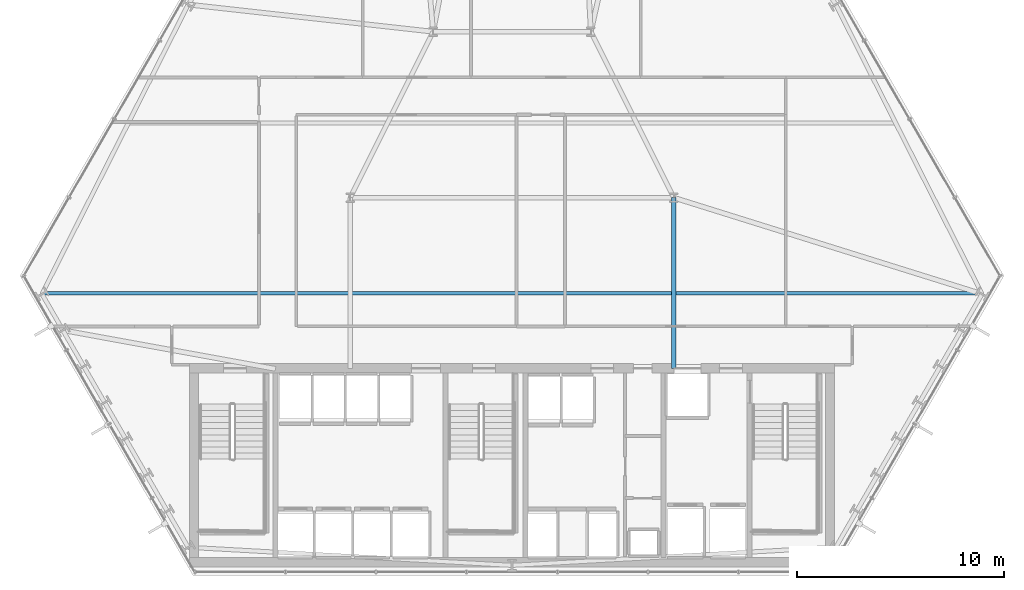
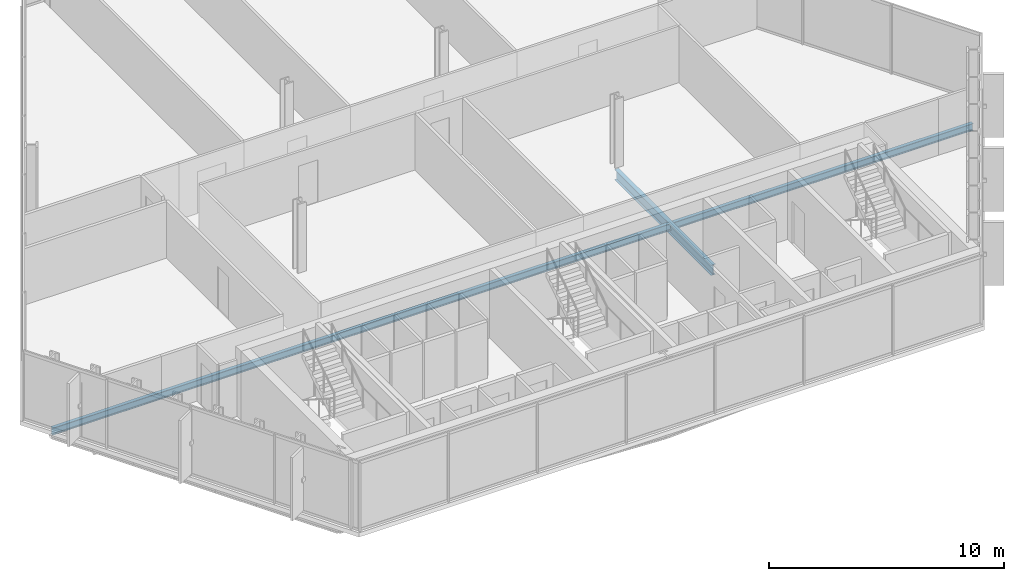
# One storey, part 9 of 33: 2 beams.
"""IFC4 building model written with IfcOpenShell, lengths in metres."""

import ifcopenshell
import ifcopenshell.guid

model = None  # the IFC model being written
_history = None  # IfcOwnerHistory: only IFC2X3 demands one
_inside = {}  # id of a spatial element -> (the spatial element, [elements in it])
_under = {}  # id of a project, library or spatial element -> (it, [spatial elements below it])
_declared = {}  # id of a project -> (the project, [libraries it declares])
_typed = {}  # id of a type object -> (the type object, [elements of that type])
_made_of = {}  # id of a material, layer set ... -> (it, [elements and type objects made of it])


def new_model(schema):
    """Start an empty IFC model of exactly this schema.

    Asked for "IFC4X3", IfcOpenShell would pick the latest addendum, in which some entities
    have other attributes; the version numbers below select the first issue.
    IFC2X3 requires an IfcOwnerHistory on every rooted entity: one is made here for all.
    """
    global model, _history
    if schema == "IFC4X3":
        model = ifcopenshell.file(schema_version=(4, 3, 0, 0))
    else:
        model = ifcopenshell.file(schema=schema)
    _inside.clear()
    _under.clear()
    _declared.clear()
    _typed.clear()
    _made_of.clear()
    _history = None
    if model.schema == "IFC2X3":
        org = make("IfcOrganization", Name="unknown")
        user = make(
            "IfcPersonAndOrganization",
            ThePerson=make("IfcPerson", FamilyName="unknown"),
            TheOrganization=org,
        )
        app = make(
            "IfcApplication",
            ApplicationDeveloper=org,
            Version="unknown",
            ApplicationFullName="unknown",
            ApplicationIdentifier="unknown",
        )
        _history = make(
            "IfcOwnerHistory",
            OwningUser=user,
            OwningApplication=app,
            ChangeAction="ADDED",
            CreationDate=0,
        )
    return model


def make(cls, **values):
    """One entity of the class cls with the attributes given. An attribute that is None is left unset."""
    return model.create_entity(
        cls, **{name: value for name, value in values.items() if value is not None}
    )


def rooted(cls, **values):
    """An entity with a GlobalId (a new one), such as an element, a storey or a relation."""
    return make(cls, GlobalId=ifcopenshell.guid.new(), OwnerHistory=_history, **values)


def si_unit(unit_type, name, prefix=None):
    """IfcSIUnit, for example si_unit("LENGTHUNIT", "METRE", prefix="MILLI")."""
    return make("IfcSIUnit", UnitType=unit_type, Prefix=prefix, Name=name)


def assignment(units):
    """IfcUnitAssignment: the units of a project."""
    return None if units is None else make("IfcUnitAssignment", Units=units)


def point(xyz):
    """IfcCartesianPoint."""
    return None if xyz is None else make("IfcCartesianPoint", Coordinates=xyz)


def direction(xyz):
    """IfcDirection."""
    return None if xyz is None else make("IfcDirection", DirectionRatios=xyz)


def frame(location, z_axis=None, x_axis=None):
    """IfcAxis2Placement3D, a coordinate frame: its origin and axes. An axis left out is left unset."""
    return make(
        "IfcAxis2Placement3D",
        Location=point(location),
        Axis=direction(z_axis),
        RefDirection=direction(x_axis),
    )


def frame_2d(location, x_axis=None):
    """IfcAxis2Placement2D, a coordinate frame in the plane: its origin and x axis."""
    return make(
        "IfcAxis2Placement2D", Location=point(location), RefDirection=direction(x_axis)
    )


def origin():
    """The frame at (0, 0, 0) with its axes left unset."""
    return frame((0.0, 0.0, 0.0))


def origin_2d():
    """The frame at (0, 0) in the plane with its x axis left unset."""
    return frame_2d((0.0, 0.0))


def place(relative_to, where):
    """IfcLocalPlacement: puts the frame where relative to a parent placement (None: the world)."""
    return make(
        "IfcLocalPlacement", PlacementRelTo=relative_to, RelativePlacement=where
    )


def context(
    kind, dimensions, precision=None, world=None, true_north=None, identifier=None
):
    """IfcGeometricRepresentationContext, for example the 3D "Model" context."""
    return make(
        "IfcGeometricRepresentationContext",
        ContextIdentifier=identifier,
        ContextType=kind,
        CoordinateSpaceDimension=dimensions,
        Precision=precision,
        WorldCoordinateSystem=world,
        TrueNorth=true_north,
    )


def subcontext(parent, identifier, kind, view, scale=None):
    """IfcGeometricRepresentationSubContext, for example "Body" below "Model"."""
    return make(
        "IfcGeometricRepresentationSubContext",
        ContextIdentifier=identifier,
        ContextType=kind,
        ParentContext=parent,
        TargetScale=scale,
        TargetView=view,
    )


def project(units=None, contexts=None):
    """IfcProject with its units and contexts."""
    return rooted(
        "IfcProject",
        Name="project",
        RepresentationContexts=contexts,
        UnitsInContext=assignment(units),
    )


def spatial(cls, under=None, at=None, **own):
    """A site, building, storey or space (cls), placed at a placement, below another one or the project."""
    s = rooted(cls, ObjectPlacement=at, **own)
    if under is not None:
        _under.setdefault(under.id(), (under, []))[1].append(s)
    return s


def profile(cls, at=None, kind="AREA", **sizes):
    """A parametric profile (cls). Its sizes go by their IFC names, for example OverallWidth=200.0."""
    return make(cls, ProfileType=kind, Position=at, **sizes)


def i_section(**sizes):
    """IfcIShapeProfileDef."""
    return profile("IfcIShapeProfileDef", **sizes)


def extrude(swept, where, along, depth):
    """IfcExtrudedAreaSolid: the profile swept, set in the frame where, extruded along a direction by depth."""
    return make(
        "IfcExtrudedAreaSolid",
        SweptArea=swept,
        Position=where,
        ExtrudedDirection=direction(along),
        Depth=depth,
    )


def shape(context_of_items, identifier, shape_type, items):
    """IfcShapeRepresentation: the items that make up one representation, for example the "Body"."""
    return make(
        "IfcShapeRepresentation",
        ContextOfItems=context_of_items,
        RepresentationIdentifier=identifier,
        RepresentationType=shape_type,
        Items=items,
    )


def material(Name=None, Category=None):
    """IfcMaterial."""
    return make("IfcMaterial", Name=Name, Category=Category)


def material_profile(
    of_material, cross_section, Name=None, Category=None, Priority=None
):
    """IfcMaterialProfile: a cross section and its material."""
    return make(
        "IfcMaterialProfile",
        Name=Name,
        Material=of_material,
        Profile=cross_section,
        Priority=Priority,
        Category=Category,
    )


def profile_set(profiles, Name=None, composite=None):
    """IfcMaterialProfileSet."""
    return make(
        "IfcMaterialProfileSet",
        Name=Name,
        MaterialProfiles=profiles,
        CompositeProfile=composite,
    )


def made_of(thing, what):
    """Note that an element or type object is made of a material, layer set ...; save() writes the relation."""
    if what is not None:
        _made_of.setdefault(what.id(), (what, []))[1].append(thing)
    return thing


def type_object(cls, material=None, **own):
    """A type object (cls), such as IfcWallType, which elements share."""
    return made_of(rooted(cls, **own), material)


def element(
    cls,
    number,
    at=None,
    inside=None,
    cuts=None,
    type_object=None,
    material=None,
    context=None,
    identifier="Body",
    shape_type=None,
    held_by="IfcProductDefinitionShape",
    body=None,
    shapes=None,
    **own,
):
    """One element of the class cls, such as IfcWall. Its Tag is "e" and its number.

    at: its placement. inside: the storey or other place that contains it. cuts: it is an
    opening in that element (IfcRelVoidsElement). A single representation is given by context,
    identifier, shape_type and body (its items); several are given by shapes. held_by: the class
    of the entity that holds the representations. save() writes the other relations.
    """
    e = rooted(cls, Tag="e%d" % number, ObjectPlacement=at, **own)
    if body is not None:
        shapes = [shape(context, identifier, shape_type, body)]
    if shapes is not None:
        e.Representation = make(held_by, Representations=shapes)
    if inside is not None:
        _inside.setdefault(inside.id(), (inside, []))[1].append(e)
    if cuts is not None:
        rooted(
            "IfcRelVoidsElement", RelatingBuildingElement=cuts, RelatedOpeningElement=e
        )
    if type_object is not None:
        _typed.setdefault(type_object.id(), (type_object, []))[1].append(e)
    return made_of(e, material)


def aggregate(whole, parts):
    """IfcRelAggregates: a whole, such as a stair, and the parts it consists of."""
    return rooted("IfcRelAggregates", RelatingObject=whole, RelatedObjects=parts)


def save(model, path):
    """Write the relations noted so far, then the file.

    IfcRelAggregates (storeys below a building ...), IfcRelContainedInSpatialStructure (elements
    in a storey), IfcRelDefinesByType, IfcRelAssociatesMaterial and IfcRelDeclares: one each for
    every whole, place, type object, material and project.
    """
    for whole, parts in _under.values():
        aggregate(whole, parts)
    for where, things in _inside.values():
        rooted(
            "IfcRelContainedInSpatialStructure",
            RelatedElements=things,
            RelatingStructure=where,
        )
    for kind, things in _typed.values():
        rooted("IfcRelDefinesByType", RelatedObjects=things, RelatingType=kind)
    for what, things in _made_of.values():
        rooted("IfcRelAssociatesMaterial", RelatedObjects=things, RelatingMaterial=what)
    for by, libraries in _declared.values():
        rooted("IfcRelDeclares", RelatingContext=by, RelatedDefinitions=libraries)
    model.write(path)


model = new_model("IFC4")

# Units and contexts
model_context = context("Model", 3, precision=1e-05, world=origin(), true_north=direction((0.0, 1.0)))
body_context = subcontext(model_context, "Body", "Model", "MODEL_VIEW")
ifc_project = project(units=[si_unit("LENGTHUNIT", "METRE"), si_unit("AREAUNIT", "SQUARE_METRE"), si_unit("VOLUMEUNIT", "CUBIC_METRE"), si_unit("PLANEANGLEUNIT", "RADIAN"), si_unit("MASSUNIT", "GRAM", prefix="KILO")], contexts=[model_context])

# Site, building, storey
site_placement = place(None, origin())
site = spatial("IfcSite", under=ifc_project, at=site_placement, CompositionType="ELEMENT")
building_placement = place(site_placement, origin())
building = spatial("IfcBuilding", under=site, at=building_placement, Name="Ndaravel Arena Tower", CompositionType="ELEMENT")
storey_placement = place(building_placement, frame((0.0, 0.0, 39.800048828125)))
storey = spatial("IfcBuildingStorey", under=building, at=storey_placement, Name="L07", CompositionType="ELEMENT", Elevation=39.800048828125)

# Beams
ifc_material_1 = material(Name="Steel S355", Category="steel")
ifc_material_profile_1 = material_profile(ifc_material_1, i_section(OverallWidth=0.210693359375, OverallDepth=0.53955078125, WebThickness=0.01171875, FlangeThickness=0.018798828125, FilletRadius=0.0126953125, at=origin_2d()), Name="UB 533x210x109")
ifc_profile_set_1 = profile_set([ifc_material_profile_1], Name="Steel S355")
beam_type_1 = type_object("IfcBeamType", Name="BM-GIRD-UB533", PredefinedType="BEAM", material=ifc_profile_set_1)
beam_1_placement = place(storey_placement, frame((49.800048828125, 14.97998046875, -0.48974609375), z_axis=(0.0, 1.0, 0.0), x_axis=(-1.0, 0.0, 0.0)))
element("IfcBeam", 1, at=beam_1_placement, inside=storey, type_object=beam_type_1, Name="L07 Spine Link Girder SLG-02", PredefinedType="BEAM", context=body_context, shape_type="SweptSolid", body=[
    extrude(i_section(OverallWidth=0.210693359375, OverallDepth=0.53955078125, WebThickness=0.01171875, FlangeThickness=0.018798828125, FilletRadius=0.0126953125, at=origin_2d()), origin(), (0.0, 0.0, 1.0), 8.219970703125),
])
ifc_material_2 = material(Name="Steel S355", Category="steel")
ifc_material_profile_2 = material_profile(ifc_material_2, i_section(OverallWidth=0.169921875, OverallDepth=0.360107421875, WebThickness=0.008056640625, FlangeThickness=0.0126953125, FilletRadius=0.01806640625, at=origin_2d()), Name="IPE 360")
ifc_profile_set_2 = profile_set([ifc_material_profile_2], Name="Steel S355")
beam_type_2 = type_object("IfcBeamType", Name="BM-JOIST-IPE360", PredefinedType="JOIST", material=ifc_profile_set_2)
beam_2_placement = place(storey_placement, frame((19.3671875, 18.60009765625, -0.400146484375), z_axis=(1.0, 0.0, 0.0), x_axis=(0.0, 1.0, 0.0)))
element("IfcBeam", 2, at=beam_2_placement, inside=storey, type_object=beam_type_2, Name="L07 Composite Floor Joist FJ-01", PredefinedType="JOIST", context=body_context, shape_type="SweptSolid", body=[
    extrude(i_section(OverallWidth=0.169921875, OverallDepth=0.360107421875, WebThickness=0.008056640625, FlangeThickness=0.0126953125, FilletRadius=0.01806640625, at=origin_2d()), origin(), (0.0, 0.0, 1.0), 45.265625),
])

save(model, "model.ifc")
